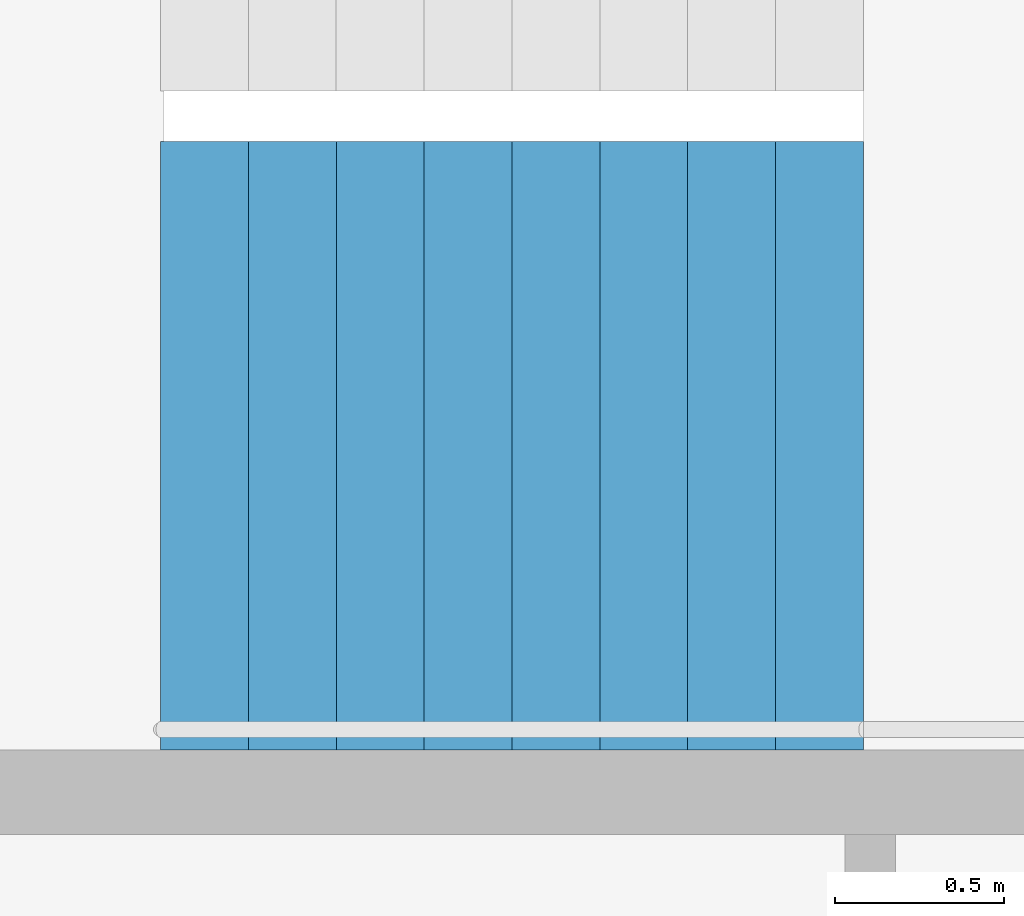
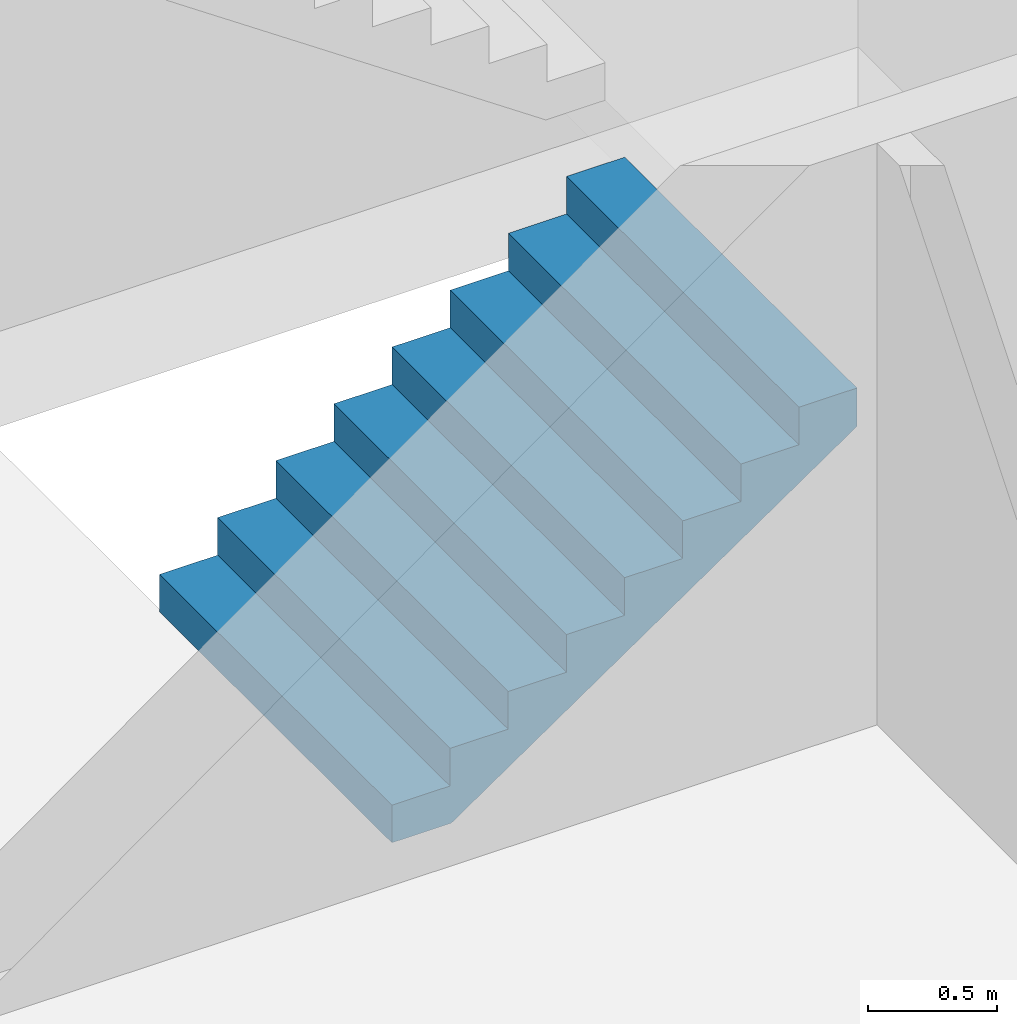
# One storey, part 18 of 28: 1 stair flight, 1 element without a shape of its own.
"""IFC4 building model written with IfcOpenShell, lengths in metres."""

from ifc_helpers import new_model, si_unit, direction, frame, origin, place, context, subcontext, project, spatial, triangles, material, type_object, element, aggregate, save


model = new_model("IFC4")

# Units and contexts
model_context = context("Model", 3, precision=1e-05, world=origin(), true_north=direction((0.0, 1.0)))
body_context = subcontext(model_context, "Body", "Model", "MODEL_VIEW")
ifc_project = project(units=[si_unit("LENGTHUNIT", "METRE"), si_unit("AREAUNIT", "SQUARE_METRE"), si_unit("VOLUMEUNIT", "CUBIC_METRE"), si_unit("PLANEANGLEUNIT", "RADIAN"), si_unit("MASSUNIT", "GRAM", prefix="KILO")], contexts=[model_context])

# Site, building, storey
site_placement = place(None, origin())
site = spatial("IfcSite", under=ifc_project, at=site_placement, CompositionType="ELEMENT")
building_placement = place(site_placement, origin())
building = spatial("IfcBuilding", under=site, at=building_placement, Name="Hakoniwa Tower and Hamabe Station Hall", CompositionType="ELEMENT")
storey_placement = place(building_placement, frame((0.0, 0.0, 218.60009765625)))
storey = spatial("IfcBuildingStorey", under=building, at=storey_placement, Name="L62", CompositionType="ELEMENT", Elevation=218.60009765625)

# Stair, stair flight
ifc_material_1 = material(Name="Concrete C40", Category="concrete")
stair_type = type_object("IfcStairType", Name="ESCAPE STAIR 1800", PredefinedType="HALF_TURN_STAIR", material=ifc_material_1)
stair_placement = place(storey_placement, origin())
stair = element("IfcStair", 1, at=stair_placement, inside=storey, type_object=stair_type, Name="Escape stair ST-1 L62", PredefinedType="HALF_TURN_STAIR")
ifc_material_2 = material(Name="Concrete C40", Category="concrete")
stair_flight_type = type_object("IfcStairFlightType", Name="STAIR FLIGHT 1800", PredefinedType="STRAIGHT", material=ifc_material_2)
stair_flight_placement = place(storey_placement, frame((-24.39990234375, 4.64990234375, 0.0), z_axis=(0.0, 0.0, 1.0), x_axis=(1.0, 0.0, 0.0)))
stair_flight = element("IfcStairFlight", 2, at=stair_flight_placement, type_object=stair_flight_type, Name="ST-1 flight 1", NumberOfRisers=9, NumberOfTreads=8, PredefinedType="STRAIGHT", RiserHeight=0.177777778, TreadLength=0.26, context=body_context, shape_type="Tessellation", body=[
    triangles([(0.0, 0.89990234375, 0.0), (0.260009765625, 0.89990234375, 0.0), (0.265625, 0.89990234375, 0.0), (0.52001953125, 0.89990234375, 0.174072265625), (0.780029296875, 0.89990234375, 0.351806640625), (1.0400390625, 0.89990234375, 0.529541015625), (1.300048828125, 0.89990234375, 0.707275390625), (1.56005859375, 0.89990234375, 0.885009765625), (1.820068359375, 0.89990234375, 1.062744140625), (2.080078125, 0.89990234375, 1.24072265625), (2.080078125, 0.89990234375, 1.422119140625), (1.820068359375, 0.89990234375, 1.422119140625), (1.820068359375, 0.89990234375, 1.244384765625), (1.56005859375, 0.89990234375, 1.244384765625), (1.56005859375, 0.89990234375, 1.066650390625), (1.300048828125, 0.89990234375, 1.066650390625), (1.300048828125, 0.89990234375, 0.888916015625), (1.0400390625, 0.89990234375, 0.888916015625), (1.0400390625, 0.89990234375, 0.711181640625), (0.780029296875, 0.89990234375, 0.711181640625), (0.780029296875, 0.89990234375, 0.533447265625), (0.52001953125, 0.89990234375, 0.533447265625), (0.52001953125, 0.89990234375, 0.35546875), (0.265625, 0.89990234375, 0.35546875), (0.260009765625, 0.89990234375, 0.35546875), (0.260009765625, 0.89990234375, 0.177734375), (0.0, 0.89990234375, 0.177734375), (0.0, 0.06005859375, 0.0), (0.260009765625, 0.06005859375, 0.0), (0.265625, 0.06005859375, 0.0), (0.52001953125, 0.06005859375, 0.174072265625), (0.780029296875, 0.06005859375, 0.351806640625), (1.0400390625, 0.06005859375, 0.529541015625), (1.300048828125, 0.06005859375, 0.707275390625), (1.56005859375, 0.06005859375, 0.885009765625), (1.820068359375, 0.06005859375, 1.062744140625), (2.080078125, 0.06005859375, 1.24072265625), (2.080078125, 0.06005859375, 1.422119140625), (1.820068359375, 0.06005859375, 1.422119140625), (1.820068359375, 0.06005859375, 1.244384765625), (1.56005859375, 0.06005859375, 1.244384765625), (1.56005859375, 0.06005859375, 1.066650390625), (1.300048828125, 0.06005859375, 1.066650390625), (1.300048828125, 0.06005859375, 0.888916015625), (1.0400390625, 0.06005859375, 0.888916015625), (1.0400390625, 0.06005859375, 0.711181640625), (0.780029296875, 0.06005859375, 0.711181640625), (0.780029296875, 0.06005859375, 0.533447265625), (0.52001953125, 0.06005859375, 0.533447265625), (0.52001953125, 0.06005859375, 0.35546875), (0.265625, 0.06005859375, 0.35546875), (0.260009765625, 0.06005859375, 0.35546875), (0.260009765625, 0.06005859375, 0.177734375), (0.0, 0.06005859375, 0.177734375), (0.0, 0.04296875, 0.0), (0.260009765625, 0.04296875, 0.0), (0.265625, 0.04296875, 0.0), (0.52001953125, 0.04296875, 0.174072265625), (0.780029296875, 0.04296875, 0.351806640625), (1.0400390625, 0.04296875, 0.529541015625), (1.300048828125, 0.04296875, 0.707275390625), (1.56005859375, 0.04296875, 0.885009765625), (1.820068359375, 0.04296875, 1.062744140625), (2.080078125, 0.04296875, 1.24072265625), (2.080078125, 0.04296875, 1.422119140625), (1.820068359375, 0.04296875, 1.422119140625), (1.820068359375, 0.04296875, 1.244384765625), (1.56005859375, 0.04296875, 1.244384765625), (1.56005859375, 0.04296875, 1.066650390625), (1.300048828125, 0.04296875, 1.066650390625), (1.300048828125, 0.04296875, 0.888916015625), (1.0400390625, 0.04296875, 0.888916015625), (1.0400390625, 0.04296875, 0.711181640625), (0.780029296875, 0.04296875, 0.711181640625), (0.780029296875, 0.04296875, 0.533447265625), (0.52001953125, 0.04296875, 0.533447265625), (0.52001953125, 0.04296875, 0.35546875), (0.265625, 0.04296875, 0.35546875), (0.260009765625, 0.04296875, 0.35546875), (0.260009765625, 0.04296875, 0.177734375), (0.0, 0.04296875, 0.177734375), (0.0, 0.025634765625, 0.0), (0.260009765625, 0.025634765625, 0.0), (0.265625, 0.025634765625, 0.0), (0.52001953125, 0.025634765625, 0.174072265625), (0.780029296875, 0.025634765625, 0.351806640625), (1.0400390625, 0.025634765625, 0.529541015625), (1.300048828125, 0.025634765625, 0.707275390625), (1.56005859375, 0.025634765625, 0.885009765625), (1.820068359375, 0.025634765625, 1.062744140625), (2.080078125, 0.025634765625, 1.24072265625), (2.080078125, 0.025634765625, 1.422119140625), (1.820068359375, 0.025634765625, 1.422119140625), (1.820068359375, 0.025634765625, 1.244384765625), (1.56005859375, 0.025634765625, 1.244384765625), (1.56005859375, 0.025634765625, 1.066650390625), (1.300048828125, 0.025634765625, 1.066650390625), (1.300048828125, 0.025634765625, 0.888916015625), (1.0400390625, 0.025634765625, 0.888916015625), (1.0400390625, 0.025634765625, 0.711181640625), (0.780029296875, 0.025634765625, 0.711181640625), (0.780029296875, 0.025634765625, 0.533447265625), (0.52001953125, 0.025634765625, 0.533447265625), (0.52001953125, 0.025634765625, 0.35546875), (0.265625, 0.025634765625, 0.35546875), (0.260009765625, 0.025634765625, 0.35546875), (0.260009765625, 0.025634765625, 0.177734375), (0.0, 0.025634765625, 0.177734375), (0.0, 0.008544921875, 0.0), (0.260009765625, 0.008544921875, 0.0), (0.265625, 0.008544921875, 0.0), (0.52001953125, 0.008544921875, 0.174072265625), (0.780029296875, 0.008544921875, 0.351806640625), (1.0400390625, 0.008544921875, 0.529541015625), (1.300048828125, 0.008544921875, 0.707275390625), (1.56005859375, 0.008544921875, 0.885009765625), (1.820068359375, 0.008544921875, 1.062744140625), (2.080078125, 0.008544921875, 1.24072265625), (2.080078125, 0.008544921875, 1.422119140625), (1.820068359375, 0.008544921875, 1.422119140625), (1.820068359375, 0.008544921875, 1.244384765625), (1.56005859375, 0.008544921875, 1.244384765625), (1.56005859375, 0.008544921875, 1.066650390625), (1.300048828125, 0.008544921875, 1.066650390625), (1.300048828125, 0.008544921875, 0.888916015625), (1.0400390625, 0.008544921875, 0.888916015625), (1.0400390625, 0.008544921875, 0.711181640625), (0.780029296875, 0.008544921875, 0.711181640625), (0.780029296875, 0.008544921875, 0.533447265625), (0.52001953125, 0.008544921875, 0.533447265625), (0.52001953125, 0.008544921875, 0.35546875), (0.265625, 0.008544921875, 0.35546875), (0.260009765625, 0.008544921875, 0.35546875), (0.260009765625, 0.008544921875, 0.177734375), (0.0, 0.008544921875, 0.177734375), (0.0, -0.008544921875, 0.0), (0.260009765625, -0.008544921875, 0.0), (0.265625, -0.008544921875, 0.0), (0.52001953125, -0.008544921875, 0.174072265625), (0.780029296875, -0.008544921875, 0.351806640625), (1.0400390625, -0.008544921875, 0.529541015625), (1.300048828125, -0.008544921875, 0.707275390625), (1.56005859375, -0.008544921875, 0.885009765625), (1.820068359375, -0.008544921875, 1.062744140625), (2.080078125, -0.008544921875, 1.24072265625), (2.080078125, -0.008544921875, 1.422119140625), (1.820068359375, -0.008544921875, 1.422119140625), (1.820068359375, -0.008544921875, 1.244384765625), (1.56005859375, -0.008544921875, 1.244384765625), (1.56005859375, -0.008544921875, 1.066650390625), (1.300048828125, -0.008544921875, 1.066650390625), (1.300048828125, -0.008544921875, 0.888916015625), (1.0400390625, -0.008544921875, 0.888916015625), (1.0400390625, -0.008544921875, 0.711181640625), (0.780029296875, -0.008544921875, 0.711181640625), (0.780029296875, -0.008544921875, 0.533447265625), (0.52001953125, -0.008544921875, 0.533447265625), (0.52001953125, -0.008544921875, 0.35546875), (0.265625, -0.008544921875, 0.35546875), (0.260009765625, -0.008544921875, 0.35546875), (0.260009765625, -0.008544921875, 0.177734375), (0.0, -0.008544921875, 0.177734375), (0.0, -0.025634765625, 0.0), (0.260009765625, -0.025634765625, 0.0), (0.265625, -0.025634765625, 0.0), (0.52001953125, -0.025634765625, 0.174072265625), (0.780029296875, -0.025634765625, 0.351806640625), (1.0400390625, -0.025634765625, 0.529541015625), (1.300048828125, -0.025634765625, 0.707275390625), (1.56005859375, -0.025634765625, 0.885009765625), (1.820068359375, -0.025634765625, 1.062744140625), (2.080078125, -0.025634765625, 1.24072265625), (2.080078125, -0.025634765625, 1.422119140625), (1.820068359375, -0.025634765625, 1.422119140625), (1.820068359375, -0.025634765625, 1.244384765625), (1.56005859375, -0.025634765625, 1.244384765625), (1.56005859375, -0.025634765625, 1.066650390625), (1.300048828125, -0.025634765625, 1.066650390625), (1.300048828125, -0.025634765625, 0.888916015625), (1.0400390625, -0.025634765625, 0.888916015625), (1.0400390625, -0.025634765625, 0.711181640625), (0.780029296875, -0.025634765625, 0.711181640625), (0.780029296875, -0.025634765625, 0.533447265625), (0.52001953125, -0.025634765625, 0.533447265625), (0.52001953125, -0.025634765625, 0.35546875), (0.265625, -0.025634765625, 0.35546875), (0.260009765625, -0.025634765625, 0.35546875), (0.260009765625, -0.025634765625, 0.177734375), (0.0, -0.025634765625, 0.177734375), (0.0, -0.04296875, 0.0), (0.260009765625, -0.04296875, 0.0), (0.265625, -0.04296875, 0.0), (0.52001953125, -0.04296875, 0.174072265625), (0.780029296875, -0.04296875, 0.351806640625), (1.0400390625, -0.04296875, 0.529541015625), (1.300048828125, -0.04296875, 0.707275390625), (1.56005859375, -0.04296875, 0.885009765625), (1.820068359375, -0.04296875, 1.062744140625), (2.080078125, -0.04296875, 1.24072265625), (2.080078125, -0.04296875, 1.422119140625), (1.820068359375, -0.04296875, 1.422119140625), (1.820068359375, -0.04296875, 1.244384765625), (1.56005859375, -0.04296875, 1.244384765625), (1.56005859375, -0.04296875, 1.066650390625), (1.300048828125, -0.04296875, 1.066650390625), (1.300048828125, -0.04296875, 0.888916015625), (1.0400390625, -0.04296875, 0.888916015625), (1.0400390625, -0.04296875, 0.711181640625), (0.780029296875, -0.04296875, 0.711181640625), (0.780029296875, -0.04296875, 0.533447265625), (0.52001953125, -0.04296875, 0.533447265625), (0.52001953125, -0.04296875, 0.35546875), (0.265625, -0.04296875, 0.35546875), (0.260009765625, -0.04296875, 0.35546875), (0.260009765625, -0.04296875, 0.177734375), (0.0, -0.04296875, 0.177734375), (0.0, -0.06005859375, 0.0), (0.260009765625, -0.06005859375, 0.0), (0.265625, -0.06005859375, 0.0), (0.52001953125, -0.06005859375, 0.174072265625), (0.780029296875, -0.06005859375, 0.351806640625), (1.0400390625, -0.06005859375, 0.529541015625), (1.300048828125, -0.06005859375, 0.707275390625), (1.56005859375, -0.06005859375, 0.885009765625), (1.820068359375, -0.06005859375, 1.062744140625), (2.080078125, -0.06005859375, 1.24072265625), (2.080078125, -0.06005859375, 1.422119140625), (1.820068359375, -0.06005859375, 1.422119140625), (1.820068359375, -0.06005859375, 1.244384765625), (1.56005859375, -0.06005859375, 1.244384765625), (1.56005859375, -0.06005859375, 1.066650390625), (1.300048828125, -0.06005859375, 1.066650390625), (1.300048828125, -0.06005859375, 0.888916015625), (1.0400390625, -0.06005859375, 0.888916015625), (1.0400390625, -0.06005859375, 0.711181640625), (0.780029296875, -0.06005859375, 0.711181640625), (0.780029296875, -0.06005859375, 0.533447265625), (0.52001953125, -0.06005859375, 0.533447265625), (0.52001953125, -0.06005859375, 0.35546875), (0.265625, -0.06005859375, 0.35546875), (0.260009765625, -0.06005859375, 0.35546875), (0.260009765625, -0.06005859375, 0.177734375), (0.0, -0.06005859375, 0.177734375), (0.0, -0.89990234375, 0.0), (0.260009765625, -0.89990234375, 0.0), (0.265625, -0.89990234375, 0.0), (0.52001953125, -0.89990234375, 0.174072265625), (0.780029296875, -0.89990234375, 0.351806640625), (1.0400390625, -0.89990234375, 0.529541015625), (1.300048828125, -0.89990234375, 0.707275390625), (1.56005859375, -0.89990234375, 0.885009765625), (1.820068359375, -0.89990234375, 1.062744140625), (2.080078125, -0.89990234375, 1.24072265625), (2.080078125, -0.89990234375, 1.422119140625), (1.820068359375, -0.89990234375, 1.422119140625), (1.820068359375, -0.89990234375, 1.244384765625), (1.56005859375, -0.89990234375, 1.244384765625), (1.56005859375, -0.89990234375, 1.066650390625), (1.300048828125, -0.89990234375, 1.066650390625), (1.300048828125, -0.89990234375, 0.888916015625), (1.0400390625, -0.89990234375, 0.888916015625), (1.0400390625, -0.89990234375, 0.711181640625), (0.780029296875, -0.89990234375, 0.711181640625), (0.780029296875, -0.89990234375, 0.533447265625), (0.52001953125, -0.89990234375, 0.533447265625), (0.52001953125, -0.89990234375, 0.35546875), (0.265625, -0.89990234375, 0.35546875), (0.260009765625, -0.89990234375, 0.35546875), (0.260009765625, -0.89990234375, 0.177734375), (0.0, -0.89990234375, 0.177734375)], [[2, 27, 26], [245, 269, 270], [2, 1, 27], [245, 270, 244], [3, 25, 24], [246, 267, 268], [3, 26, 25], [246, 268, 269], [3, 2, 26], [246, 269, 245], [4, 24, 23], [247, 266, 267], [4, 3, 24], [247, 267, 246], [5, 22, 21], [248, 264, 265], [5, 23, 22], [248, 265, 266], [5, 4, 23], [248, 266, 247], [6, 20, 19], [249, 262, 263], [6, 21, 20], [249, 263, 264], [6, 5, 21], [249, 264, 248], [7, 18, 17], [250, 260, 261], [7, 19, 18], [250, 261, 262], [7, 6, 19], [250, 262, 249], [8, 16, 15], [251, 258, 259], [8, 17, 16], [251, 259, 260], [8, 7, 17], [251, 260, 250], [9, 14, 13], [252, 256, 257], [9, 15, 14], [252, 257, 258], [9, 8, 15], [252, 258, 251], [10, 12, 11], [253, 254, 255], [10, 13, 12], [253, 255, 256], [10, 9, 13], [253, 256, 252], [1, 2, 29], [1, 29, 28], [28, 29, 56], [28, 56, 55], [55, 56, 83], [55, 83, 82], [82, 83, 110], [82, 110, 109], [109, 110, 137], [109, 137, 136], [136, 137, 164], [136, 164, 163], [163, 164, 191], [163, 191, 190], [190, 191, 218], [190, 218, 217], [217, 218, 245], [217, 245, 244], [2, 3, 30], [2, 30, 29], [29, 30, 57], [29, 57, 56], [56, 57, 84], [56, 84, 83], [83, 84, 111], [83, 111, 110], [110, 111, 138], [110, 138, 137], [137, 138, 165], [137, 165, 164], [164, 165, 192], [164, 192, 191], [191, 192, 219], [191, 219, 218], [218, 219, 246], [218, 246, 245], [3, 4, 31], [3, 31, 30], [30, 31, 58], [30, 58, 57], [57, 58, 85], [57, 85, 84], [84, 85, 112], [84, 112, 111], [111, 112, 139], [111, 139, 138], [138, 139, 166], [138, 166, 165], [165, 166, 193], [165, 193, 192], [192, 193, 220], [192, 220, 219], [219, 220, 247], [219, 247, 246], [4, 5, 32], [4, 32, 31], [31, 32, 59], [31, 59, 58], [58, 59, 86], [58, 86, 85], [85, 86, 113], [85, 113, 112], [112, 113, 140], [112, 140, 139], [139, 140, 167], [139, 167, 166], [166, 167, 194], [166, 194, 193], [193, 194, 221], [193, 221, 220], [220, 221, 248], [220, 248, 247], [5, 6, 33], [5, 33, 32], [32, 33, 60], [32, 60, 59], [59, 60, 87], [59, 87, 86], [86, 87, 114], [86, 114, 113], [113, 114, 141], [113, 141, 140], [140, 141, 168], [140, 168, 167], [167, 168, 195], [167, 195, 194], [194, 195, 222], [194, 222, 221], [221, 222, 249], [221, 249, 248], [6, 7, 34], [6, 34, 33], [33, 34, 61], [33, 61, 60], [60, 61, 88], [60, 88, 87], [87, 88, 115], [87, 115, 114], [114, 115, 142], [114, 142, 141], [141, 142, 169], [141, 169, 168], [168, 169, 196], [168, 196, 195], [195, 196, 223], [195, 223, 222], [222, 223, 250], [222, 250, 249], [7, 8, 35], [7, 35, 34], [34, 35, 62], [34, 62, 61], [61, 62, 89], [61, 89, 88], [88, 89, 116], [88, 116, 115], [115, 116, 143], [115, 143, 142], [142, 143, 170], [142, 170, 169], [169, 170, 197], [169, 197, 196], [196, 197, 224], [196, 224, 223], [223, 224, 251], [223, 251, 250], [8, 9, 36], [8, 36, 35], [35, 36, 63], [35, 63, 62], [62, 63, 90], [62, 90, 89], [89, 90, 117], [89, 117, 116], [116, 117, 144], [116, 144, 143], [143, 144, 171], [143, 171, 170], [170, 171, 198], [170, 198, 197], [197, 198, 225], [197, 225, 224], [224, 225, 252], [224, 252, 251], [9, 10, 37], [9, 37, 36], [36, 37, 64], [36, 64, 63], [63, 64, 91], [63, 91, 90], [90, 91, 118], [90, 118, 117], [117, 118, 145], [117, 145, 144], [144, 145, 172], [144, 172, 171], [171, 172, 199], [171, 199, 198], [198, 199, 226], [198, 226, 225], [225, 226, 253], [225, 253, 252], [10, 11, 38], [10, 38, 37], [37, 38, 65], [37, 65, 64], [64, 65, 92], [64, 92, 91], [91, 92, 119], [91, 119, 118], [118, 119, 146], [118, 146, 145], [145, 146, 173], [145, 173, 172], [172, 173, 200], [172, 200, 199], [199, 200, 227], [199, 227, 226], [226, 227, 254], [226, 254, 253], [11, 12, 39], [11, 39, 38], [38, 39, 66], [38, 66, 65], [65, 66, 93], [65, 93, 92], [92, 93, 120], [92, 120, 119], [119, 120, 147], [119, 147, 146], [146, 147, 174], [146, 174, 173], [173, 174, 201], [173, 201, 200], [200, 201, 228], [200, 228, 227], [227, 228, 255], [227, 255, 254], [12, 13, 40], [12, 40, 39], [39, 40, 67], [39, 67, 66], [66, 67, 94], [66, 94, 93], [93, 94, 121], [93, 121, 120], [120, 121, 148], [120, 148, 147], [147, 148, 175], [147, 175, 174], [174, 175, 202], [174, 202, 201], [201, 202, 229], [201, 229, 228], [228, 229, 256], [228, 256, 255], [13, 14, 41], [13, 41, 40], [40, 41, 68], [40, 68, 67], [67, 68, 95], [67, 95, 94], [94, 95, 122], [94, 122, 121], [121, 122, 149], [121, 149, 148], [148, 149, 176], [148, 176, 175], [175, 176, 203], [175, 203, 202], [202, 203, 230], [202, 230, 229], [229, 230, 257], [229, 257, 256], [14, 15, 42], [14, 42, 41], [41, 42, 69], [41, 69, 68], [68, 69, 96], [68, 96, 95], [95, 96, 123], [95, 123, 122], [122, 123, 150], [122, 150, 149], [149, 150, 177], [149, 177, 176], [176, 177, 204], [176, 204, 203], [203, 204, 231], [203, 231, 230], [230, 231, 258], [230, 258, 257], [15, 16, 43], [15, 43, 42], [42, 43, 70], [42, 70, 69], [69, 70, 97], [69, 97, 96], [96, 97, 124], [96, 124, 123], [123, 124, 151], [123, 151, 150], [150, 151, 178], [150, 178, 177], [177, 178, 205], [177, 205, 204], [204, 205, 232], [204, 232, 231], [231, 232, 259], [231, 259, 258], [16, 17, 44], [16, 44, 43], [43, 44, 71], [43, 71, 70], [70, 71, 98], [70, 98, 97], [97, 98, 125], [97, 125, 124], [124, 125, 152], [124, 152, 151], [151, 152, 179], [151, 179, 178], [178, 179, 206], [178, 206, 205], [205, 206, 233], [205, 233, 232], [232, 233, 260], [232, 260, 259], [17, 18, 45], [17, 45, 44], [44, 45, 72], [44, 72, 71], [71, 72, 99], [71, 99, 98], [98, 99, 126], [98, 126, 125], [125, 126, 153], [125, 153, 152], [152, 153, 180], [152, 180, 179], [179, 180, 207], [179, 207, 206], [206, 207, 234], [206, 234, 233], [233, 234, 261], [233, 261, 260], [18, 19, 46], [18, 46, 45], [45, 46, 73], [45, 73, 72], [72, 73, 100], [72, 100, 99], [99, 100, 127], [99, 127, 126], [126, 127, 154], [126, 154, 153], [153, 154, 181], [153, 181, 180], [180, 181, 208], [180, 208, 207], [207, 208, 235], [207, 235, 234], [234, 235, 262], [234, 262, 261], [19, 20, 47], [19, 47, 46], [46, 47, 74], [46, 74, 73], [73, 74, 101], [73, 101, 100], [100, 101, 128], [100, 128, 127], [127, 128, 155], [127, 155, 154], [154, 155, 182], [154, 182, 181], [181, 182, 209], [181, 209, 208], [208, 209, 236], [208, 236, 235], [235, 236, 263], [235, 263, 262], [20, 21, 48], [20, 48, 47], [47, 48, 75], [47, 75, 74], [74, 75, 102], [74, 102, 101], [101, 102, 129], [101, 129, 128], [128, 129, 156], [128, 156, 155], [155, 156, 183], [155, 183, 182], [182, 183, 210], [182, 210, 209], [209, 210, 237], [209, 237, 236], [236, 237, 264], [236, 264, 263], [21, 22, 49], [21, 49, 48], [48, 49, 76], [48, 76, 75], [75, 76, 103], [75, 103, 102], [102, 103, 130], [102, 130, 129], [129, 130, 157], [129, 157, 156], [156, 157, 184], [156, 184, 183], [183, 184, 211], [183, 211, 210], [210, 211, 238], [210, 238, 237], [237, 238, 265], [237, 265, 264], [22, 23, 50], [22, 50, 49], [49, 50, 77], [49, 77, 76], [76, 77, 104], [76, 104, 103], [103, 104, 131], [103, 131, 130], [130, 131, 158], [130, 158, 157], [157, 158, 185], [157, 185, 184], [184, 185, 212], [184, 212, 211], [211, 212, 239], [211, 239, 238], [238, 239, 266], [238, 266, 265], [23, 24, 51], [23, 51, 50], [50, 51, 78], [50, 78, 77], [77, 78, 105], [77, 105, 104], [104, 105, 132], [104, 132, 131], [131, 132, 159], [131, 159, 158], [158, 159, 186], [158, 186, 185], [185, 186, 213], [185, 213, 212], [212, 213, 240], [212, 240, 239], [239, 240, 267], [239, 267, 266], [24, 25, 52], [24, 52, 51], [51, 52, 79], [51, 79, 78], [78, 79, 106], [78, 106, 105], [105, 106, 133], [105, 133, 132], [132, 133, 160], [132, 160, 159], [159, 160, 187], [159, 187, 186], [186, 187, 214], [186, 214, 213], [213, 214, 241], [213, 241, 240], [240, 241, 268], [240, 268, 267], [25, 26, 53], [25, 53, 52], [52, 53, 80], [52, 80, 79], [79, 80, 107], [79, 107, 106], [106, 107, 134], [106, 134, 133], [133, 134, 161], [133, 161, 160], [160, 161, 188], [160, 188, 187], [187, 188, 215], [187, 215, 214], [214, 215, 242], [214, 242, 241], [241, 242, 269], [241, 269, 268], [26, 27, 54], [26, 54, 53], [53, 54, 81], [53, 81, 80], [80, 81, 108], [80, 108, 107], [107, 108, 135], [107, 135, 134], [134, 135, 162], [134, 162, 161], [161, 162, 189], [161, 189, 188], [188, 189, 216], [188, 216, 215], [215, 216, 243], [215, 243, 242], [242, 243, 270], [242, 270, 269], [27, 1, 28], [27, 28, 54], [54, 28, 55], [54, 55, 81], [81, 55, 82], [81, 82, 108], [108, 82, 109], [108, 109, 135], [135, 109, 136], [135, 136, 162], [162, 136, 163], [162, 163, 189], [189, 163, 190], [189, 190, 216], [216, 190, 217], [216, 217, 243], [243, 217, 244], [243, 244, 270]], closed=True),
])
aggregate(stair, [stair_flight])

save(model, "model.ifc")
